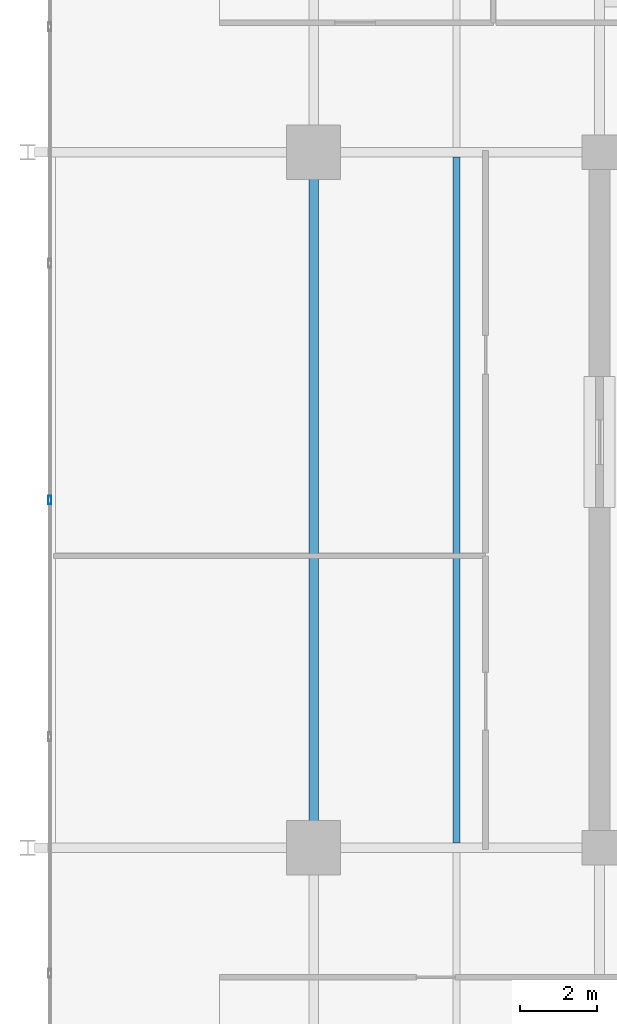
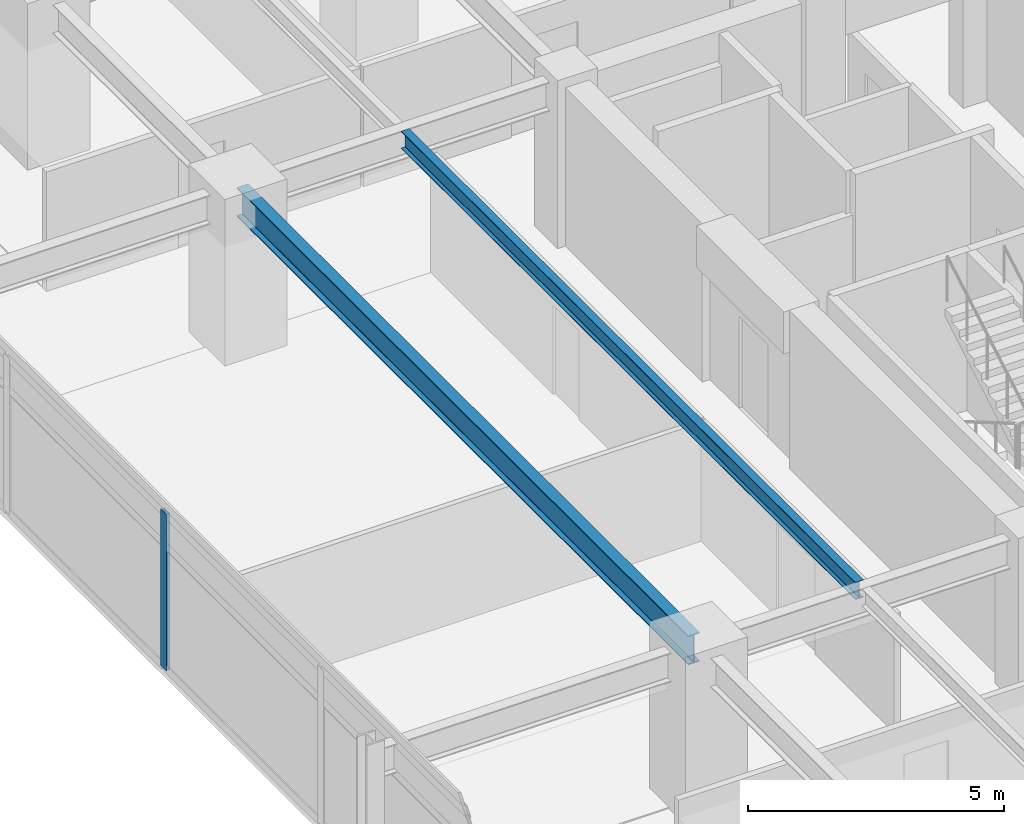
# One storey, part 6 of 20: 2 beams, 1 member, 1 element without a shape of its own.
"""IFC4 building model written with IfcOpenShell, lengths in metres."""

from ifc_helpers import new_model, si_unit, direction, frame, origin, origin_2d, place, context, subcontext, project, spatial, hollow_rectangle, i_section, extrude, material, material_profile, profile_set, type_object, element, aggregate, save


model = new_model("IFC4")

# Units and contexts
model_context = context("Model", 3, precision=1e-05, world=origin(), true_north=direction((0.0, 1.0)))
body_context = subcontext(model_context, "Body", "Model", "MODEL_VIEW")
ifc_project = project(units=[si_unit("LENGTHUNIT", "METRE"), si_unit("AREAUNIT", "SQUARE_METRE"), si_unit("VOLUMEUNIT", "CUBIC_METRE"), si_unit("PLANEANGLEUNIT", "RADIAN"), si_unit("MASSUNIT", "GRAM", prefix="KILO")], contexts=[model_context])

# Site, building, storey
site_placement = place(None, origin())
site = spatial("IfcSite", under=ifc_project, at=site_placement, CompositionType="ELEMENT")
building_placement = place(site_placement, origin())
building = spatial("IfcBuilding", under=site, at=building_placement, Name="Kovane Verandah Tower", CompositionType="ELEMENT")
storey_placement = place(building_placement, frame((0.0, 0.0, 213.199951171875)))
storey = spatial("IfcBuildingStorey", under=building, at=storey_placement, Name="L49", CompositionType="ELEMENT", Elevation=213.199951171875)

# Beam
ifc_material_1 = material(Name="Steel S355", Category="steel")
ifc_material_profile_1 = material_profile(ifc_material_1, i_section(OverallWidth=0.255859375, OverallDepth=0.69287109375, WebThickness=0.014404296875, FlangeThickness=0.023681640625, FilletRadius=0.01513671875, at=origin_2d()), Name="UB686x254x170")
ifc_profile_set_1 = profile_set([ifc_material_profile_1], Name="Steel S355")
beam_type_1 = type_object("IfcBeamType", Name="BM-UB686x170", PredefinedType="BEAM", material=ifc_profile_set_1)
beam_1_placement = place(storey_placement, frame((21.60009765625, 18.679931640625, 3.428466796875), z_axis=(0.0, 1.0, 0.0), x_axis=(-1.0, 0.0, 0.0)))
element("IfcBeam", 1, at=beam_1_placement, inside=storey, type_object=beam_type_1, Name="L49 Primary Tower Girder G-RW2", PredefinedType="BEAM", context=body_context, shape_type="SweptSolid", body=[
    extrude(i_section(OverallWidth=0.255859375, OverallDepth=0.69287109375, WebThickness=0.014404296875, FlangeThickness=0.023681640625, FilletRadius=0.01513671875, at=origin_2d()), origin(), (0.0, 0.0, 1.0), 17.64013671875),
])

# Curtain wall, member
ifc_material_2 = material(Name="Champagne Anodised Aluminium Frame with Low-E Clear Laminated Glass", Category="aluminium")
curtain_wall_type = type_object("IfcCurtainWallType", Name="CW-SYS-03-MID", PredefinedType="NOTDEFINED", material=ifc_material_2)
curtain_wall_placement = place(storey_placement, origin())
curtain_wall = element("IfcCurtainWall", 2, at=curtain_wall_placement, inside=storey, type_object=curtain_wall_type, Name="L49 W Unitised Curtain Wall", PredefinedType="NOTDEFINED")
ifc_material_3 = material(Name="Champagne Anodised Aluminium 6063-T6", Category="aluminium")
ifc_material_profile_2 = material_profile(ifc_material_3, hollow_rectangle(XDim=0.0849609375, YDim=0.22998046875, WallThickness=0.00390625, at=origin_2d()), Name="AL85x230x4")
ifc_profile_set_2 = profile_set([ifc_material_profile_2], Name="Champagne Anodised Aluminium 6063-T6")
member_type = type_object("IfcMemberType", Name="CW-MUL-85x230", PredefinedType="MULLION", material=ifc_profile_set_2)
member_placement = place(storey_placement, frame((14.768310546875, 27.5, 0.02001953125), z_axis=(0.0, 0.0, 1.0), x_axis=(-1.0, 0.0, 0.0)))
member = element("IfcMember", 3, at=member_placement, type_object=member_type, Name="L49 W Unitised Curtain Wall Mullion 4", PredefinedType="MULLION", context=body_context, shape_type="SweptSolid", body=[
    extrude(hollow_rectangle(XDim=0.0849609375, YDim=0.22998046875, WallThickness=0.00390625, at=origin_2d()), origin(), (0.0, 0.0, 1.0), 3.735107421875),
])
aggregate(curtain_wall, [member])

# Beam
ifc_material_profile_3 = material_profile(ifc_material_1, i_section(OverallWidth=0.179443359375, OverallDepth=0.412841796875, WebThickness=0.009521484375, FlangeThickness=0.01611328125, FilletRadius=0.01025390625, at=origin_2d()), Name="UB406x178x74")
ifc_profile_set_3 = profile_set([ifc_material_profile_3], Name="Steel S355")
beam_type_2 = type_object("IfcBeamType", Name="JST-UB406x74", PredefinedType="JOIST", material=ifc_profile_set_3)
beam_2_placement = place(storey_placement, frame((25.300048828125, 18.6259765625, 3.568603515625), z_axis=(0.0, 1.0, 0.0), x_axis=(-1.0, 0.0, 0.0)))
element("IfcBeam", 4, at=beam_2_placement, inside=storey, type_object=beam_type_2, Name="L49 Secondary Composite Joist J-W1", PredefinedType="JOIST", context=body_context, shape_type="SweptSolid", body=[
    extrude(i_section(OverallWidth=0.179443359375, OverallDepth=0.412841796875, WebThickness=0.009521484375, FlangeThickness=0.01611328125, FilletRadius=0.01025390625, at=origin_2d()), origin(), (0.0, 0.0, 1.0), 17.748046875),
])

save(model, "model.ifc")
